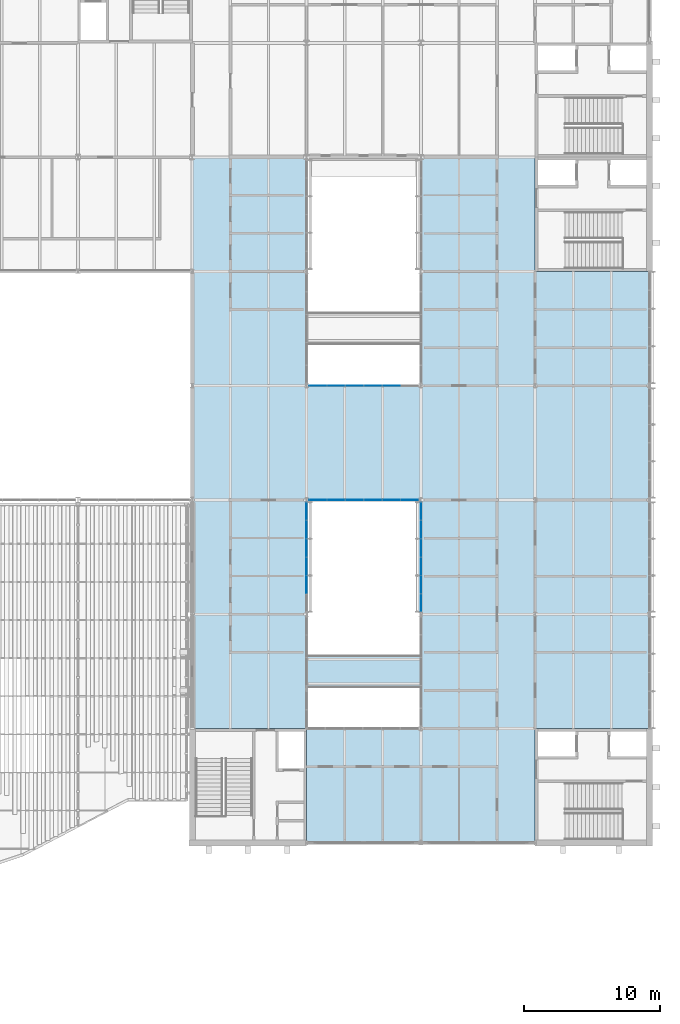
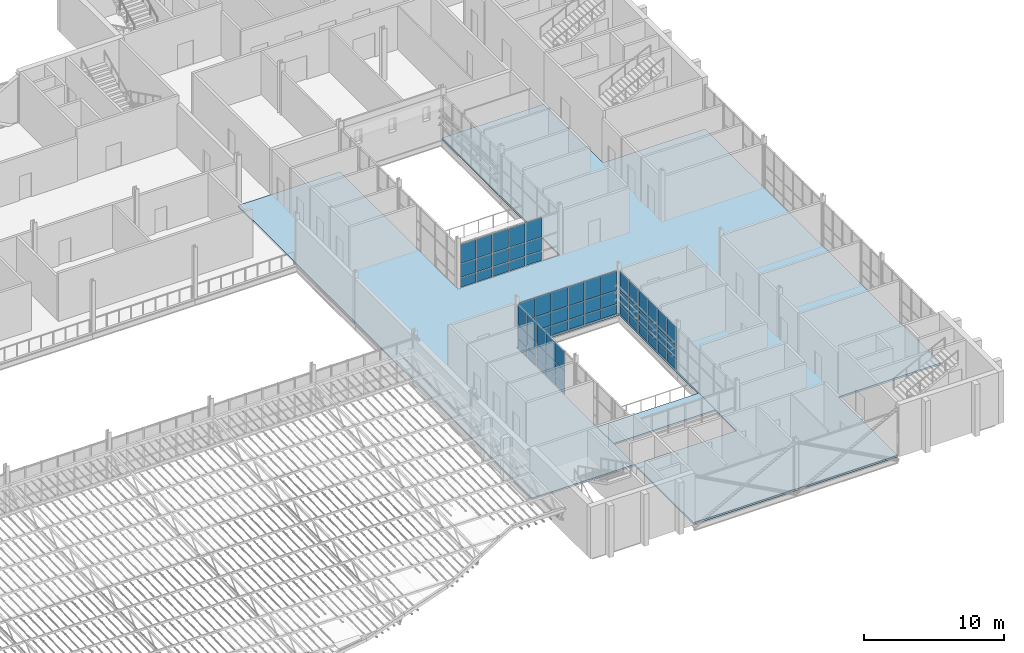
# One storey, part 75 of 129: 66 plates, 2 slabs, 4 elements without a shape of their own.
"""IFC4 building model written with IfcOpenShell, lengths in metres."""

from ifc_helpers import new_model, si_unit, direction, frame, origin, origin_2d, place, context, subcontext, project, spatial, polyline, rectangle, outline, extrude, material, layer, layer_set, type_object, element, aggregate, save


model = new_model("IFC4")

# Units and contexts
model_context = context("Model", 3, precision=1e-05, world=origin(), true_north=direction((0.0, 1.0)))
body_context = subcontext(model_context, "Body", "Model", "MODEL_VIEW")
ifc_project = project(units=[si_unit("LENGTHUNIT", "METRE"), si_unit("AREAUNIT", "SQUARE_METRE"), si_unit("VOLUMEUNIT", "CUBIC_METRE"), si_unit("PLANEANGLEUNIT", "RADIAN"), si_unit("MASSUNIT", "GRAM", prefix="KILO")], contexts=[model_context])

# Site, building, storey
site_placement = place(None, origin())
site = spatial("IfcSite", under=ifc_project, at=site_placement, CompositionType="ELEMENT")
building_placement = place(site_placement, origin())
building = spatial("IfcBuilding", under=site, at=building_placement, Name="Ardhachandra Cancer Care Centre", CompositionType="ELEMENT")
storey_placement = place(building_placement, frame((0.0, 0.0, 4.5)))
storey = spatial("IfcBuildingStorey", under=building, at=storey_placement, Name="L01", CompositionType="ELEMENT", Elevation=4.5)

# Slabs
ifc_material_1 = material(Name="Concrete M40", Category="concrete")
ifc_layer_1 = layer(ifc_material_1, 0.14990234375)
ifc_layer_set_1 = layer_set([ifc_layer_1], Name="Concrete M40")
slab_type_1 = type_object("IfcSlabType", Name="Bridge deck 150", PredefinedType="FLOOR", material=ifc_layer_set_1)
slab_1_placement = place(storey_placement, frame((0.0, 0.0, -0.14990234375)))
element("IfcSlab", 1, at=slab_1_placement, inside=storey, type_object=slab_type_1, Name="Bridge deck BR-LC1-L01", PredefinedType="FLOOR", context=body_context, shape_type="SweptSolid", body=[
    extrude(outline(polyline([(120.0, 40.800048828125), (128.39990234375, 40.800048828125), (128.39990234375, 43.199951171875), (120.0, 43.199951171875), (120.0, 40.800048828125)])), origin(), (0.0, 0.0, 1.0), 0.14990234375),
])
ifc_material_2 = material(Name="Composite slab Concrete M30 on steel deck", Category="concrete")
ifc_layer_2 = layer(ifc_material_2, 0.14990234375)
ifc_layer_set_2 = layer_set([ifc_layer_2], Name="Composite slab Concrete M30 on steel deck")
slab_type_2 = type_object("IfcSlabType", Name="Composite floor slab 150", PredefinedType="FLOOR", material=ifc_layer_set_2)
slab_2_placement = place(storey_placement, frame((0.0, 0.0, -0.14990234375)))
element("IfcSlab", 2, at=slab_2_placement, inside=storey, type_object=slab_type_2, Name="Floor slab V4", PredefinedType="FLOOR", context=body_context, shape_type="SweptSolid", body=[
    extrude(outline(polyline([(145.199951171875, 71.39990234375), (136.800048828125, 71.39990234375), (136.800048828125, 79.800048828125), (128.39990234375, 79.800048828125), (128.39990234375, 63.0), (120.0, 63.0), (120.0, 79.800048828125), (111.60009765625, 79.800048828125), (111.60009765625, 71.39990234375), (111.60009765625, 54.60009765625), (111.60009765625, 37.800048828125), (120.0, 37.800048828125), (120.0, 29.39990234375), (136.800048828125, 29.39990234375), (136.800048828125, 37.800048828125), (145.199951171875, 37.800048828125), (145.199951171875, 71.39990234375)]), holes=[polyline([(128.39794921875, 37.802001953125), (120.001953125, 37.802001953125), (120.001953125, 54.597900390625), (128.39794921875, 54.597900390625), (128.39794921875, 37.802001953125)])]), origin(), (0.0, 0.0, 1.0), 0.14990234375),
])

# Curtain wall, plates
ifc_material_3 = material(Name="Aluminium extrusion", Category="aluminium")
ifc_layer_3 = layer(ifc_material_3, 0.14990234375)
ifc_layer_set_3 = layer_set([ifc_layer_3], Name="Aluminium extrusion")
curtain_wall_type = type_object("IfcCurtainWallType", Name="Curtain wall run", PredefinedType="NOTDEFINED", material=ifc_layer_set_3)
curtain_wall_1_placement = place(storey_placement, origin())
curtain_wall_1 = element("IfcCurtainWall", 3, at=curtain_wall_1_placement, inside=storey, type_object=curtain_wall_type, Name="Curtain wall L01 e/0120000_0046200", PredefinedType="NOTDEFINED")
ifc_material_4 = material(Name="Low-iron double-glazed unit")
ifc_layer_4 = layer(ifc_material_4, 0.028076171875)
ifc_layer_set_4 = layer_set([ifc_layer_4], Name="Low-iron double-glazed unit")
plate_type_1 = type_object("IfcPlateType", Name="Curtain wall glazing 28", PredefinedType="CURTAIN_PANEL", material=ifc_layer_set_4)
plate_1_placement = place(storey_placement, frame((120.0, 48.375, 0.93017578125), z_axis=(0.0, 0.0, 1.0), x_axis=(0.0, 1.0, 0.0)))
plate_1 = element("IfcPlate", 4, at=plate_1_placement, type_object=plate_type_1, Name="CW panel 2.2", PredefinedType="CURTAIN_PANEL", context=body_context, shape_type="SweptSolid", body=[
    extrude(rectangle(XDim=1.2900390625, YDim=0.028076171875, at=origin_2d()), origin(), (0.0, 0.0, 1.0), 1.139892578125),
])
plate_2_placement = place(storey_placement, frame((120.0, 48.375, 2.1298828125), z_axis=(0.0, 0.0, 1.0), x_axis=(0.0, 1.0, 0.0)))
plate_2 = element("IfcPlate", 5, at=plate_2_placement, type_object=plate_type_1, Name="CW panel 2.3", PredefinedType="CURTAIN_PANEL", context=body_context, shape_type="SweptSolid", body=[
    extrude(rectangle(XDim=1.2900390625, YDim=0.028076171875, at=origin_2d()), origin(), (0.0, 0.0, 1.0), 1.659912109375),
])
plate_3_placement = place(storey_placement, frame((120.0, 49.72509765625, 0.93017578125), z_axis=(0.0, 0.0, 1.0), x_axis=(0.0, 1.0, 0.0)))
plate_3 = element("IfcPlate", 6, at=plate_3_placement, type_object=plate_type_1, Name="CW panel 3.2", PredefinedType="CURTAIN_PANEL", context=body_context, shape_type="SweptSolid", body=[
    extrude(rectangle(XDim=1.2900390625, YDim=0.028076171875, at=origin_2d()), origin(), (0.0, 0.0, 1.0), 1.139892578125),
])
plate_4_placement = place(storey_placement, frame((120.0, 49.72509765625, 2.1298828125), z_axis=(0.0, 0.0, 1.0), x_axis=(0.0, 1.0, 0.0)))
plate_4 = element("IfcPlate", 7, at=plate_4_placement, type_object=plate_type_1, Name="CW panel 3.3", PredefinedType="CURTAIN_PANEL", context=body_context, shape_type="SweptSolid", body=[
    extrude(rectangle(XDim=1.2900390625, YDim=0.028076171875, at=origin_2d()), origin(), (0.0, 0.0, 1.0), 1.659912109375),
])
plate_5_placement = place(storey_placement, frame((120.0, 51.074951171875, 0.93017578125), z_axis=(0.0, 0.0, 1.0), x_axis=(0.0, 1.0, 0.0)))
plate_5 = element("IfcPlate", 8, at=plate_5_placement, type_object=plate_type_1, Name="CW panel 4.2", PredefinedType="CURTAIN_PANEL", context=body_context, shape_type="SweptSolid", body=[
    extrude(rectangle(XDim=1.2900390625, YDim=0.028076171875, at=origin_2d()), origin(), (0.0, 0.0, 1.0), 1.139892578125),
])
plate_6_placement = place(storey_placement, frame((120.0, 51.074951171875, 2.1298828125), z_axis=(0.0, 0.0, 1.0), x_axis=(0.0, 1.0, 0.0)))
plate_6 = element("IfcPlate", 9, at=plate_6_placement, type_object=plate_type_1, Name="CW panel 4.3", PredefinedType="CURTAIN_PANEL", context=body_context, shape_type="SweptSolid", body=[
    extrude(rectangle(XDim=1.2900390625, YDim=0.028076171875, at=origin_2d()), origin(), (0.0, 0.0, 1.0), 1.659912109375),
])
plate_7_placement = place(storey_placement, frame((120.0, 52.425048828125, 0.93017578125), z_axis=(0.0, 0.0, 1.0), x_axis=(0.0, 1.0, 0.0)))
plate_7 = element("IfcPlate", 10, at=plate_7_placement, type_object=plate_type_1, Name="CW panel 5.2", PredefinedType="CURTAIN_PANEL", context=body_context, shape_type="SweptSolid", body=[
    extrude(rectangle(XDim=1.2900390625, YDim=0.028076171875, at=origin_2d()), origin(), (0.0, 0.0, 1.0), 1.139892578125),
])
plate_8_placement = place(storey_placement, frame((120.0, 52.425048828125, 2.1298828125), z_axis=(0.0, 0.0, 1.0), x_axis=(0.0, 1.0, 0.0)))
plate_8 = element("IfcPlate", 11, at=plate_8_placement, type_object=plate_type_1, Name="CW panel 5.3", PredefinedType="CURTAIN_PANEL", context=body_context, shape_type="SweptSolid", body=[
    extrude(rectangle(XDim=1.2900390625, YDim=0.028076171875, at=origin_2d()), origin(), (0.0, 0.0, 1.0), 1.659912109375),
])
plate_9_placement = place(storey_placement, frame((120.0, 53.760009765625, 0.93017578125), z_axis=(0.0, 0.0, 1.0), x_axis=(0.0, 1.0, 0.0)))
plate_9 = element("IfcPlate", 12, at=plate_9_placement, type_object=plate_type_1, Name="CW panel 6.2", PredefinedType="CURTAIN_PANEL", context=body_context, shape_type="SweptSolid", body=[
    extrude(rectangle(XDim=1.260009765625, YDim=0.028076171875, at=origin_2d()), origin(), (0.0, 0.0, 1.0), 1.139892578125),
])
plate_10_placement = place(storey_placement, frame((120.0, 53.760009765625, 2.1298828125), z_axis=(0.0, 0.0, 1.0), x_axis=(0.0, 1.0, 0.0)))
plate_10 = element("IfcPlate", 13, at=plate_10_placement, type_object=plate_type_1, Name="CW panel 6.3", PredefinedType="CURTAIN_PANEL", context=body_context, shape_type="SweptSolid", body=[
    extrude(rectangle(XDim=1.260009765625, YDim=0.028076171875, at=origin_2d()), origin(), (0.0, 0.0, 1.0), 1.659912109375),
])

curtain_wall_2_placement = place(storey_placement, origin())
curtain_wall_2 = element("IfcCurtainWall", 14, at=curtain_wall_2_placement, inside=storey, type_object=curtain_wall_type, Name="Curtain wall L01 n/0120000_0063000", PredefinedType="NOTDEFINED")
plate_11_placement = place(storey_placement, frame((120.840087890625, 63.0, 0.93017578125), z_axis=(0.0, 0.0, 1.0), x_axis=(1.0, 0.0, 0.0)))
plate_11 = element("IfcPlate", 15, at=plate_11_placement, type_object=plate_type_1, Name="CW panel 1.2", PredefinedType="CURTAIN_PANEL", context=body_context, shape_type="SweptSolid", body=[
    extrude(rectangle(XDim=1.260009765625, YDim=0.028076171875, at=origin_2d()), origin(), (0.0, 0.0, 1.0), 1.139892578125),
])
plate_12_placement = place(storey_placement, frame((120.840087890625, 63.0, 2.1298828125), z_axis=(0.0, 0.0, 1.0), x_axis=(1.0, 0.0, 0.0)))
plate_12 = element("IfcPlate", 16, at=plate_12_placement, type_object=plate_type_1, Name="CW panel 1.3", PredefinedType="CURTAIN_PANEL", context=body_context, shape_type="SweptSolid", body=[
    extrude(rectangle(XDim=1.260009765625, YDim=0.028076171875, at=origin_2d()), origin(), (0.0, 0.0, 1.0), 1.659912109375),
])
plate_13_placement = place(storey_placement, frame((122.175048828125, 63.0, 0.93017578125), z_axis=(0.0, 0.0, 1.0), x_axis=(1.0, 0.0, 0.0)))
plate_13 = element("IfcPlate", 17, at=plate_13_placement, type_object=plate_type_1, Name="CW panel 2.2", PredefinedType="CURTAIN_PANEL", context=body_context, shape_type="SweptSolid", body=[
    extrude(rectangle(XDim=1.2900390625, YDim=0.028076171875, at=origin_2d()), origin(), (0.0, 0.0, 1.0), 1.139892578125),
])
plate_14_placement = place(storey_placement, frame((122.175048828125, 63.0, 2.1298828125), z_axis=(0.0, 0.0, 1.0), x_axis=(1.0, 0.0, 0.0)))
plate_14 = element("IfcPlate", 18, at=plate_14_placement, type_object=plate_type_1, Name="CW panel 2.3", PredefinedType="CURTAIN_PANEL", context=body_context, shape_type="SweptSolid", body=[
    extrude(rectangle(XDim=1.2900390625, YDim=0.028076171875, at=origin_2d()), origin(), (0.0, 0.0, 1.0), 1.659912109375),
])
plate_15_placement = place(storey_placement, frame((123.52490234375, 63.0, 0.93017578125), z_axis=(0.0, 0.0, 1.0), x_axis=(1.0, 0.0, 0.0)))
plate_15 = element("IfcPlate", 19, at=plate_15_placement, type_object=plate_type_1, Name="CW panel 3.2", PredefinedType="CURTAIN_PANEL", context=body_context, shape_type="SweptSolid", body=[
    extrude(rectangle(XDim=1.2900390625, YDim=0.028076171875, at=origin_2d()), origin(), (0.0, 0.0, 1.0), 1.139892578125),
])
plate_16_placement = place(storey_placement, frame((123.52490234375, 63.0, 2.1298828125), z_axis=(0.0, 0.0, 1.0), x_axis=(1.0, 0.0, 0.0)))
plate_16 = element("IfcPlate", 20, at=plate_16_placement, type_object=plate_type_1, Name="CW panel 3.3", PredefinedType="CURTAIN_PANEL", context=body_context, shape_type="SweptSolid", body=[
    extrude(rectangle(XDim=1.2900390625, YDim=0.028076171875, at=origin_2d()), origin(), (0.0, 0.0, 1.0), 1.659912109375),
])
plate_17_placement = place(storey_placement, frame((124.875, 63.0, 0.93017578125), z_axis=(0.0, 0.0, 1.0), x_axis=(1.0, 0.0, 0.0)))
plate_17 = element("IfcPlate", 21, at=plate_17_placement, type_object=plate_type_1, Name="CW panel 4.2", PredefinedType="CURTAIN_PANEL", context=body_context, shape_type="SweptSolid", body=[
    extrude(rectangle(XDim=1.2900390625, YDim=0.028076171875, at=origin_2d()), origin(), (0.0, 0.0, 1.0), 1.139892578125),
])
plate_18_placement = place(storey_placement, frame((124.875, 63.0, 2.1298828125), z_axis=(0.0, 0.0, 1.0), x_axis=(1.0, 0.0, 0.0)))
plate_18 = element("IfcPlate", 22, at=plate_18_placement, type_object=plate_type_1, Name="CW panel 4.3", PredefinedType="CURTAIN_PANEL", context=body_context, shape_type="SweptSolid", body=[
    extrude(rectangle(XDim=1.2900390625, YDim=0.028076171875, at=origin_2d()), origin(), (0.0, 0.0, 1.0), 1.659912109375),
])
plate_19_placement = place(storey_placement, frame((126.22509765625, 63.0, 0.93017578125), z_axis=(0.0, 0.0, 1.0), x_axis=(1.0, 0.0, 0.0)))
plate_19 = element("IfcPlate", 23, at=plate_19_placement, type_object=plate_type_1, Name="CW panel 5.2", PredefinedType="CURTAIN_PANEL", context=body_context, shape_type="SweptSolid", body=[
    extrude(rectangle(XDim=1.2900390625, YDim=0.028076171875, at=origin_2d()), origin(), (0.0, 0.0, 1.0), 1.139892578125),
])
plate_20_placement = place(storey_placement, frame((126.22509765625, 63.0, 2.1298828125), z_axis=(0.0, 0.0, 1.0), x_axis=(1.0, 0.0, 0.0)))
plate_20 = element("IfcPlate", 24, at=plate_20_placement, type_object=plate_type_1, Name="CW panel 5.3", PredefinedType="CURTAIN_PANEL", context=body_context, shape_type="SweptSolid", body=[
    extrude(rectangle(XDim=1.2900390625, YDim=0.028076171875, at=origin_2d()), origin(), (0.0, 0.0, 1.0), 1.659912109375),
])

curtain_wall_3_placement = place(storey_placement, origin())
curtain_wall_3 = element("IfcCurtainWall", 25, at=curtain_wall_3_placement, inside=storey, type_object=curtain_wall_type, Name="Curtain wall L01 s/0120000_0054600", PredefinedType="NOTDEFINED")
plate_21_placement = place(storey_placement, frame((120.840087890625, 54.60009765625, 0.93017578125), z_axis=(0.0, 0.0, 1.0), x_axis=(1.0, 0.0, 0.0)))
plate_21 = element("IfcPlate", 26, at=plate_21_placement, type_object=plate_type_1, Name="CW panel 1.2", PredefinedType="CURTAIN_PANEL", context=body_context, shape_type="SweptSolid", body=[
    extrude(rectangle(XDim=1.260009765625, YDim=0.028076171875, at=origin_2d()), origin(), (0.0, 0.0, 1.0), 1.139892578125),
])
plate_22_placement = place(storey_placement, frame((120.840087890625, 54.60009765625, 2.1298828125), z_axis=(0.0, 0.0, 1.0), x_axis=(1.0, 0.0, 0.0)))
plate_22 = element("IfcPlate", 27, at=plate_22_placement, type_object=plate_type_1, Name="CW panel 1.3", PredefinedType="CURTAIN_PANEL", context=body_context, shape_type="SweptSolid", body=[
    extrude(rectangle(XDim=1.260009765625, YDim=0.028076171875, at=origin_2d()), origin(), (0.0, 0.0, 1.0), 1.659912109375),
])
plate_23_placement = place(storey_placement, frame((122.175048828125, 54.60009765625, 0.93017578125), z_axis=(0.0, 0.0, 1.0), x_axis=(1.0, 0.0, 0.0)))
plate_23 = element("IfcPlate", 28, at=plate_23_placement, type_object=plate_type_1, Name="CW panel 2.2", PredefinedType="CURTAIN_PANEL", context=body_context, shape_type="SweptSolid", body=[
    extrude(rectangle(XDim=1.2900390625, YDim=0.028076171875, at=origin_2d()), origin(), (0.0, 0.0, 1.0), 1.139892578125),
])
plate_24_placement = place(storey_placement, frame((122.175048828125, 54.60009765625, 2.1298828125), z_axis=(0.0, 0.0, 1.0), x_axis=(1.0, 0.0, 0.0)))
plate_24 = element("IfcPlate", 29, at=plate_24_placement, type_object=plate_type_1, Name="CW panel 2.3", PredefinedType="CURTAIN_PANEL", context=body_context, shape_type="SweptSolid", body=[
    extrude(rectangle(XDim=1.2900390625, YDim=0.028076171875, at=origin_2d()), origin(), (0.0, 0.0, 1.0), 1.659912109375),
])
plate_25_placement = place(storey_placement, frame((123.52490234375, 54.60009765625, 0.93017578125), z_axis=(0.0, 0.0, 1.0), x_axis=(1.0, 0.0, 0.0)))
plate_25 = element("IfcPlate", 30, at=plate_25_placement, type_object=plate_type_1, Name="CW panel 3.2", PredefinedType="CURTAIN_PANEL", context=body_context, shape_type="SweptSolid", body=[
    extrude(rectangle(XDim=1.2900390625, YDim=0.028076171875, at=origin_2d()), origin(), (0.0, 0.0, 1.0), 1.139892578125),
])
plate_26_placement = place(storey_placement, frame((123.52490234375, 54.60009765625, 2.1298828125), z_axis=(0.0, 0.0, 1.0), x_axis=(1.0, 0.0, 0.0)))
plate_26 = element("IfcPlate", 31, at=plate_26_placement, type_object=plate_type_1, Name="CW panel 3.3", PredefinedType="CURTAIN_PANEL", context=body_context, shape_type="SweptSolid", body=[
    extrude(rectangle(XDim=1.2900390625, YDim=0.028076171875, at=origin_2d()), origin(), (0.0, 0.0, 1.0), 1.659912109375),
])
plate_27_placement = place(storey_placement, frame((124.875, 54.60009765625, 0.93017578125), z_axis=(0.0, 0.0, 1.0), x_axis=(1.0, 0.0, 0.0)))
plate_27 = element("IfcPlate", 32, at=plate_27_placement, type_object=plate_type_1, Name="CW panel 4.2", PredefinedType="CURTAIN_PANEL", context=body_context, shape_type="SweptSolid", body=[
    extrude(rectangle(XDim=1.2900390625, YDim=0.028076171875, at=origin_2d()), origin(), (0.0, 0.0, 1.0), 1.139892578125),
])
plate_28_placement = place(storey_placement, frame((124.875, 54.60009765625, 2.1298828125), z_axis=(0.0, 0.0, 1.0), x_axis=(1.0, 0.0, 0.0)))
plate_28 = element("IfcPlate", 33, at=plate_28_placement, type_object=plate_type_1, Name="CW panel 4.3", PredefinedType="CURTAIN_PANEL", context=body_context, shape_type="SweptSolid", body=[
    extrude(rectangle(XDim=1.2900390625, YDim=0.028076171875, at=origin_2d()), origin(), (0.0, 0.0, 1.0), 1.659912109375),
])
plate_29_placement = place(storey_placement, frame((126.22509765625, 54.60009765625, 0.93017578125), z_axis=(0.0, 0.0, 1.0), x_axis=(1.0, 0.0, 0.0)))
plate_29 = element("IfcPlate", 34, at=plate_29_placement, type_object=plate_type_1, Name="CW panel 5.2", PredefinedType="CURTAIN_PANEL", context=body_context, shape_type="SweptSolid", body=[
    extrude(rectangle(XDim=1.2900390625, YDim=0.028076171875, at=origin_2d()), origin(), (0.0, 0.0, 1.0), 1.139892578125),
])
plate_30_placement = place(storey_placement, frame((126.22509765625, 54.60009765625, 2.1298828125), z_axis=(0.0, 0.0, 1.0), x_axis=(1.0, 0.0, 0.0)))
plate_30 = element("IfcPlate", 35, at=plate_30_placement, type_object=plate_type_1, Name="CW panel 5.3", PredefinedType="CURTAIN_PANEL", context=body_context, shape_type="SweptSolid", body=[
    extrude(rectangle(XDim=1.2900390625, YDim=0.028076171875, at=origin_2d()), origin(), (0.0, 0.0, 1.0), 1.659912109375),
])
plate_31_placement = place(storey_placement, frame((127.56005859375, 54.60009765625, 0.93017578125), z_axis=(0.0, 0.0, 1.0), x_axis=(1.0, 0.0, 0.0)))
plate_31 = element("IfcPlate", 36, at=plate_31_placement, type_object=plate_type_1, Name="CW panel 6.2", PredefinedType="CURTAIN_PANEL", context=body_context, shape_type="SweptSolid", body=[
    extrude(rectangle(XDim=1.260009765625, YDim=0.028076171875, at=origin_2d()), origin(), (0.0, 0.0, 1.0), 1.139892578125),
])
plate_32_placement = place(storey_placement, frame((127.56005859375, 54.60009765625, 2.1298828125), z_axis=(0.0, 0.0, 1.0), x_axis=(1.0, 0.0, 0.0)))
plate_32 = element("IfcPlate", 37, at=plate_32_placement, type_object=plate_type_1, Name="CW panel 6.3", PredefinedType="CURTAIN_PANEL", context=body_context, shape_type="SweptSolid", body=[
    extrude(rectangle(XDim=1.260009765625, YDim=0.028076171875, at=origin_2d()), origin(), (0.0, 0.0, 1.0), 1.659912109375),
])

curtain_wall_4_placement = place(storey_placement, origin())
curtain_wall_4 = element("IfcCurtainWall", 38, at=curtain_wall_4_placement, inside=storey, type_object=curtain_wall_type, Name="Curtain wall L01 w/0128400_0046200", PredefinedType="NOTDEFINED")
plate_33_placement = place(storey_placement, frame((128.39990234375, 47.0400390625, 0.93017578125), z_axis=(0.0, 0.0, 1.0), x_axis=(0.0, 1.0, 0.0)))
plate_33 = element("IfcPlate", 39, at=plate_33_placement, type_object=plate_type_1, Name="CW panel 1.2", PredefinedType="CURTAIN_PANEL", context=body_context, shape_type="SweptSolid", body=[
    extrude(rectangle(XDim=1.260009765625, YDim=0.028076171875, at=origin_2d()), origin(), (0.0, 0.0, 1.0), 1.139892578125),
])
plate_34_placement = place(storey_placement, frame((128.39990234375, 47.0400390625, 2.1298828125), z_axis=(0.0, 0.0, 1.0), x_axis=(0.0, 1.0, 0.0)))
plate_34 = element("IfcPlate", 40, at=plate_34_placement, type_object=plate_type_1, Name="CW panel 1.3", PredefinedType="CURTAIN_PANEL", context=body_context, shape_type="SweptSolid", body=[
    extrude(rectangle(XDim=1.260009765625, YDim=0.028076171875, at=origin_2d()), origin(), (0.0, 0.0, 1.0), 1.659912109375),
])
plate_35_placement = place(storey_placement, frame((128.39990234375, 48.375, 0.93017578125), z_axis=(0.0, 0.0, 1.0), x_axis=(0.0, 1.0, 0.0)))
plate_35 = element("IfcPlate", 41, at=plate_35_placement, type_object=plate_type_1, Name="CW panel 2.2", PredefinedType="CURTAIN_PANEL", context=body_context, shape_type="SweptSolid", body=[
    extrude(rectangle(XDim=1.2900390625, YDim=0.028076171875, at=origin_2d()), origin(), (0.0, 0.0, 1.0), 1.139892578125),
])
plate_36_placement = place(storey_placement, frame((128.39990234375, 48.375, 2.1298828125), z_axis=(0.0, 0.0, 1.0), x_axis=(0.0, 1.0, 0.0)))
plate_36 = element("IfcPlate", 42, at=plate_36_placement, type_object=plate_type_1, Name="CW panel 2.3", PredefinedType="CURTAIN_PANEL", context=body_context, shape_type="SweptSolid", body=[
    extrude(rectangle(XDim=1.2900390625, YDim=0.028076171875, at=origin_2d()), origin(), (0.0, 0.0, 1.0), 1.659912109375),
])
plate_37_placement = place(storey_placement, frame((128.39990234375, 49.72509765625, 0.93017578125), z_axis=(0.0, 0.0, 1.0), x_axis=(0.0, 1.0, 0.0)))
plate_37 = element("IfcPlate", 43, at=plate_37_placement, type_object=plate_type_1, Name="CW panel 3.2", PredefinedType="CURTAIN_PANEL", context=body_context, shape_type="SweptSolid", body=[
    extrude(rectangle(XDim=1.2900390625, YDim=0.028076171875, at=origin_2d()), origin(), (0.0, 0.0, 1.0), 1.139892578125),
])
plate_38_placement = place(storey_placement, frame((128.39990234375, 49.72509765625, 2.1298828125), z_axis=(0.0, 0.0, 1.0), x_axis=(0.0, 1.0, 0.0)))
plate_38 = element("IfcPlate", 44, at=plate_38_placement, type_object=plate_type_1, Name="CW panel 3.3", PredefinedType="CURTAIN_PANEL", context=body_context, shape_type="SweptSolid", body=[
    extrude(rectangle(XDim=1.2900390625, YDim=0.028076171875, at=origin_2d()), origin(), (0.0, 0.0, 1.0), 1.659912109375),
])
plate_39_placement = place(storey_placement, frame((128.39990234375, 51.074951171875, 0.93017578125), z_axis=(0.0, 0.0, 1.0), x_axis=(0.0, 1.0, 0.0)))
plate_39 = element("IfcPlate", 45, at=plate_39_placement, type_object=plate_type_1, Name="CW panel 4.2", PredefinedType="CURTAIN_PANEL", context=body_context, shape_type="SweptSolid", body=[
    extrude(rectangle(XDim=1.2900390625, YDim=0.028076171875, at=origin_2d()), origin(), (0.0, 0.0, 1.0), 1.139892578125),
])
plate_40_placement = place(storey_placement, frame((128.39990234375, 51.074951171875, 2.1298828125), z_axis=(0.0, 0.0, 1.0), x_axis=(0.0, 1.0, 0.0)))
plate_40 = element("IfcPlate", 46, at=plate_40_placement, type_object=plate_type_1, Name="CW panel 4.3", PredefinedType="CURTAIN_PANEL", context=body_context, shape_type="SweptSolid", body=[
    extrude(rectangle(XDim=1.2900390625, YDim=0.028076171875, at=origin_2d()), origin(), (0.0, 0.0, 1.0), 1.659912109375),
])
plate_41_placement = place(storey_placement, frame((128.39990234375, 52.425048828125, 0.93017578125), z_axis=(0.0, 0.0, 1.0), x_axis=(0.0, 1.0, 0.0)))
plate_41 = element("IfcPlate", 47, at=plate_41_placement, type_object=plate_type_1, Name="CW panel 5.2", PredefinedType="CURTAIN_PANEL", context=body_context, shape_type="SweptSolid", body=[
    extrude(rectangle(XDim=1.2900390625, YDim=0.028076171875, at=origin_2d()), origin(), (0.0, 0.0, 1.0), 1.139892578125),
])
plate_42_placement = place(storey_placement, frame((128.39990234375, 52.425048828125, 2.1298828125), z_axis=(0.0, 0.0, 1.0), x_axis=(0.0, 1.0, 0.0)))
plate_42 = element("IfcPlate", 48, at=plate_42_placement, type_object=plate_type_1, Name="CW panel 5.3", PredefinedType="CURTAIN_PANEL", context=body_context, shape_type="SweptSolid", body=[
    extrude(rectangle(XDim=1.2900390625, YDim=0.028076171875, at=origin_2d()), origin(), (0.0, 0.0, 1.0), 1.659912109375),
])
plate_43_placement = place(storey_placement, frame((128.39990234375, 53.760009765625, 0.93017578125), z_axis=(0.0, 0.0, 1.0), x_axis=(0.0, 1.0, 0.0)))
plate_43 = element("IfcPlate", 49, at=plate_43_placement, type_object=plate_type_1, Name="CW panel 6.2", PredefinedType="CURTAIN_PANEL", context=body_context, shape_type="SweptSolid", body=[
    extrude(rectangle(XDim=1.260009765625, YDim=0.028076171875, at=origin_2d()), origin(), (0.0, 0.0, 1.0), 1.139892578125),
])
plate_44_placement = place(storey_placement, frame((128.39990234375, 53.760009765625, 2.1298828125), z_axis=(0.0, 0.0, 1.0), x_axis=(0.0, 1.0, 0.0)))
plate_44 = element("IfcPlate", 50, at=plate_44_placement, type_object=plate_type_1, Name="CW panel 6.3", PredefinedType="CURTAIN_PANEL", context=body_context, shape_type="SweptSolid", body=[
    extrude(rectangle(XDim=1.260009765625, YDim=0.028076171875, at=origin_2d()), origin(), (0.0, 0.0, 1.0), 1.659912109375),
])

# Plate
ifc_material_5 = material(Name="Aluminium composite spandrel panel", Category="aluminium")
ifc_layer_5 = layer(ifc_material_5, 0.028076171875)
ifc_layer_set_5 = layer_set([ifc_layer_5], Name="Aluminium composite spandrel panel")
plate_type_2 = type_object("IfcPlateType", Name="Curtain wall spandrel panel 28", PredefinedType="CURTAIN_PANEL", material=ifc_layer_set_5)
plate_45_placement = place(storey_placement, frame((120.0, 48.375, 0.06005859375), z_axis=(0.0, 0.0, 1.0), x_axis=(0.0, 1.0, 0.0)))
plate_45 = element("IfcPlate", 51, at=plate_45_placement, type_object=plate_type_2, Name="CW panel 2.1", PredefinedType="CURTAIN_PANEL", context=body_context, shape_type="SweptSolid", body=[
    extrude(rectangle(XDim=1.2900390625, YDim=0.028076171875, at=origin_2d()), origin(), (0.0, 0.0, 1.0), 0.81005859375),
])

plate_46_placement = place(storey_placement, frame((120.0, 49.72509765625, 0.06005859375), z_axis=(0.0, 0.0, 1.0), x_axis=(0.0, 1.0, 0.0)))
plate_46 = element("IfcPlate", 52, at=plate_46_placement, type_object=plate_type_2, Name="CW panel 3.1", PredefinedType="CURTAIN_PANEL", context=body_context, shape_type="SweptSolid", body=[
    extrude(rectangle(XDim=1.2900390625, YDim=0.028076171875, at=origin_2d()), origin(), (0.0, 0.0, 1.0), 0.81005859375),
])

plate_47_placement = place(storey_placement, frame((120.0, 51.074951171875, 0.06005859375), z_axis=(0.0, 0.0, 1.0), x_axis=(0.0, 1.0, 0.0)))
plate_47 = element("IfcPlate", 53, at=plate_47_placement, type_object=plate_type_2, Name="CW panel 4.1", PredefinedType="CURTAIN_PANEL", context=body_context, shape_type="SweptSolid", body=[
    extrude(rectangle(XDim=1.2900390625, YDim=0.028076171875, at=origin_2d()), origin(), (0.0, 0.0, 1.0), 0.81005859375),
])

plate_48_placement = place(storey_placement, frame((120.0, 52.425048828125, 0.06005859375), z_axis=(0.0, 0.0, 1.0), x_axis=(0.0, 1.0, 0.0)))
plate_48 = element("IfcPlate", 54, at=plate_48_placement, type_object=plate_type_2, Name="CW panel 5.1", PredefinedType="CURTAIN_PANEL", context=body_context, shape_type="SweptSolid", body=[
    extrude(rectangle(XDim=1.2900390625, YDim=0.028076171875, at=origin_2d()), origin(), (0.0, 0.0, 1.0), 0.81005859375),
])

plate_49_placement = place(storey_placement, frame((120.0, 53.760009765625, 0.06005859375), z_axis=(0.0, 0.0, 1.0), x_axis=(0.0, 1.0, 0.0)))
plate_49 = element("IfcPlate", 55, at=plate_49_placement, type_object=plate_type_2, Name="CW panel 6.1", PredefinedType="CURTAIN_PANEL", context=body_context, shape_type="SweptSolid", body=[
    extrude(rectangle(XDim=1.260009765625, YDim=0.028076171875, at=origin_2d()), origin(), (0.0, 0.0, 1.0), 0.81005859375),
])

aggregate(curtain_wall_1, [plate_45, plate_1, plate_2, plate_46, plate_3, plate_4, plate_47, plate_5, plate_6, plate_48, plate_7, plate_8, plate_49, plate_9, plate_10])

plate_50_placement = place(storey_placement, frame((120.840087890625, 63.0, 0.06005859375), z_axis=(0.0, 0.0, 1.0), x_axis=(1.0, 0.0, 0.0)))
plate_50 = element("IfcPlate", 56, at=plate_50_placement, type_object=plate_type_2, Name="CW panel 1.1", PredefinedType="CURTAIN_PANEL", context=body_context, shape_type="SweptSolid", body=[
    extrude(rectangle(XDim=1.260009765625, YDim=0.028076171875, at=origin_2d()), origin(), (0.0, 0.0, 1.0), 0.81005859375),
])

plate_51_placement = place(storey_placement, frame((122.175048828125, 63.0, 0.06005859375), z_axis=(0.0, 0.0, 1.0), x_axis=(1.0, 0.0, 0.0)))
plate_51 = element("IfcPlate", 57, at=plate_51_placement, type_object=plate_type_2, Name="CW panel 2.1", PredefinedType="CURTAIN_PANEL", context=body_context, shape_type="SweptSolid", body=[
    extrude(rectangle(XDim=1.2900390625, YDim=0.028076171875, at=origin_2d()), origin(), (0.0, 0.0, 1.0), 0.81005859375),
])

plate_52_placement = place(storey_placement, frame((123.52490234375, 63.0, 0.06005859375), z_axis=(0.0, 0.0, 1.0), x_axis=(1.0, 0.0, 0.0)))
plate_52 = element("IfcPlate", 58, at=plate_52_placement, type_object=plate_type_2, Name="CW panel 3.1", PredefinedType="CURTAIN_PANEL", context=body_context, shape_type="SweptSolid", body=[
    extrude(rectangle(XDim=1.2900390625, YDim=0.028076171875, at=origin_2d()), origin(), (0.0, 0.0, 1.0), 0.81005859375),
])

plate_53_placement = place(storey_placement, frame((124.875, 63.0, 0.06005859375), z_axis=(0.0, 0.0, 1.0), x_axis=(1.0, 0.0, 0.0)))
plate_53 = element("IfcPlate", 59, at=plate_53_placement, type_object=plate_type_2, Name="CW panel 4.1", PredefinedType="CURTAIN_PANEL", context=body_context, shape_type="SweptSolid", body=[
    extrude(rectangle(XDim=1.2900390625, YDim=0.028076171875, at=origin_2d()), origin(), (0.0, 0.0, 1.0), 0.81005859375),
])

plate_54_placement = place(storey_placement, frame((126.22509765625, 63.0, 0.06005859375), z_axis=(0.0, 0.0, 1.0), x_axis=(1.0, 0.0, 0.0)))
plate_54 = element("IfcPlate", 60, at=plate_54_placement, type_object=plate_type_2, Name="CW panel 5.1", PredefinedType="CURTAIN_PANEL", context=body_context, shape_type="SweptSolid", body=[
    extrude(rectangle(XDim=1.2900390625, YDim=0.028076171875, at=origin_2d()), origin(), (0.0, 0.0, 1.0), 0.81005859375),
])

aggregate(curtain_wall_2, [plate_50, plate_11, plate_12, plate_51, plate_13, plate_14, plate_52, plate_15, plate_16, plate_53, plate_17, plate_18, plate_54, plate_19, plate_20])

plate_55_placement = place(storey_placement, frame((120.840087890625, 54.60009765625, 0.06005859375), z_axis=(0.0, 0.0, 1.0), x_axis=(1.0, 0.0, 0.0)))
plate_55 = element("IfcPlate", 61, at=plate_55_placement, type_object=plate_type_2, Name="CW panel 1.1", PredefinedType="CURTAIN_PANEL", context=body_context, shape_type="SweptSolid", body=[
    extrude(rectangle(XDim=1.260009765625, YDim=0.028076171875, at=origin_2d()), origin(), (0.0, 0.0, 1.0), 0.81005859375),
])

plate_56_placement = place(storey_placement, frame((122.175048828125, 54.60009765625, 0.06005859375), z_axis=(0.0, 0.0, 1.0), x_axis=(1.0, 0.0, 0.0)))
plate_56 = element("IfcPlate", 62, at=plate_56_placement, type_object=plate_type_2, Name="CW panel 2.1", PredefinedType="CURTAIN_PANEL", context=body_context, shape_type="SweptSolid", body=[
    extrude(rectangle(XDim=1.2900390625, YDim=0.028076171875, at=origin_2d()), origin(), (0.0, 0.0, 1.0), 0.81005859375),
])

plate_57_placement = place(storey_placement, frame((123.52490234375, 54.60009765625, 0.06005859375), z_axis=(0.0, 0.0, 1.0), x_axis=(1.0, 0.0, 0.0)))
plate_57 = element("IfcPlate", 63, at=plate_57_placement, type_object=plate_type_2, Name="CW panel 3.1", PredefinedType="CURTAIN_PANEL", context=body_context, shape_type="SweptSolid", body=[
    extrude(rectangle(XDim=1.2900390625, YDim=0.028076171875, at=origin_2d()), origin(), (0.0, 0.0, 1.0), 0.81005859375),
])

plate_58_placement = place(storey_placement, frame((124.875, 54.60009765625, 0.06005859375), z_axis=(0.0, 0.0, 1.0), x_axis=(1.0, 0.0, 0.0)))
plate_58 = element("IfcPlate", 64, at=plate_58_placement, type_object=plate_type_2, Name="CW panel 4.1", PredefinedType="CURTAIN_PANEL", context=body_context, shape_type="SweptSolid", body=[
    extrude(rectangle(XDim=1.2900390625, YDim=0.028076171875, at=origin_2d()), origin(), (0.0, 0.0, 1.0), 0.81005859375),
])

plate_59_placement = place(storey_placement, frame((126.22509765625, 54.60009765625, 0.06005859375), z_axis=(0.0, 0.0, 1.0), x_axis=(1.0, 0.0, 0.0)))
plate_59 = element("IfcPlate", 65, at=plate_59_placement, type_object=plate_type_2, Name="CW panel 5.1", PredefinedType="CURTAIN_PANEL", context=body_context, shape_type="SweptSolid", body=[
    extrude(rectangle(XDim=1.2900390625, YDim=0.028076171875, at=origin_2d()), origin(), (0.0, 0.0, 1.0), 0.81005859375),
])

plate_60_placement = place(storey_placement, frame((127.56005859375, 54.60009765625, 0.06005859375), z_axis=(0.0, 0.0, 1.0), x_axis=(1.0, 0.0, 0.0)))
plate_60 = element("IfcPlate", 66, at=plate_60_placement, type_object=plate_type_2, Name="CW panel 6.1", PredefinedType="CURTAIN_PANEL", context=body_context, shape_type="SweptSolid", body=[
    extrude(rectangle(XDim=1.260009765625, YDim=0.028076171875, at=origin_2d()), origin(), (0.0, 0.0, 1.0), 0.81005859375),
])

aggregate(curtain_wall_3, [plate_55, plate_21, plate_22, plate_56, plate_23, plate_24, plate_57, plate_25, plate_26, plate_58, plate_27, plate_28, plate_59, plate_29, plate_30, plate_60, plate_31, plate_32])

plate_61_placement = place(storey_placement, frame((128.39990234375, 47.0400390625, 0.06005859375), z_axis=(0.0, 0.0, 1.0), x_axis=(0.0, 1.0, 0.0)))
plate_61 = element("IfcPlate", 67, at=plate_61_placement, type_object=plate_type_2, Name="CW panel 1.1", PredefinedType="CURTAIN_PANEL", context=body_context, shape_type="SweptSolid", body=[
    extrude(rectangle(XDim=1.260009765625, YDim=0.028076171875, at=origin_2d()), origin(), (0.0, 0.0, 1.0), 0.81005859375),
])

plate_62_placement = place(storey_placement, frame((128.39990234375, 48.375, 0.06005859375), z_axis=(0.0, 0.0, 1.0), x_axis=(0.0, 1.0, 0.0)))
plate_62 = element("IfcPlate", 68, at=plate_62_placement, type_object=plate_type_2, Name="CW panel 2.1", PredefinedType="CURTAIN_PANEL", context=body_context, shape_type="SweptSolid", body=[
    extrude(rectangle(XDim=1.2900390625, YDim=0.028076171875, at=origin_2d()), origin(), (0.0, 0.0, 1.0), 0.81005859375),
])

plate_63_placement = place(storey_placement, frame((128.39990234375, 49.72509765625, 0.06005859375), z_axis=(0.0, 0.0, 1.0), x_axis=(0.0, 1.0, 0.0)))
plate_63 = element("IfcPlate", 69, at=plate_63_placement, type_object=plate_type_2, Name="CW panel 3.1", PredefinedType="CURTAIN_PANEL", context=body_context, shape_type="SweptSolid", body=[
    extrude(rectangle(XDim=1.2900390625, YDim=0.028076171875, at=origin_2d()), origin(), (0.0, 0.0, 1.0), 0.81005859375),
])

plate_64_placement = place(storey_placement, frame((128.39990234375, 51.074951171875, 0.06005859375), z_axis=(0.0, 0.0, 1.0), x_axis=(0.0, 1.0, 0.0)))
plate_64 = element("IfcPlate", 70, at=plate_64_placement, type_object=plate_type_2, Name="CW panel 4.1", PredefinedType="CURTAIN_PANEL", context=body_context, shape_type="SweptSolid", body=[
    extrude(rectangle(XDim=1.2900390625, YDim=0.028076171875, at=origin_2d()), origin(), (0.0, 0.0, 1.0), 0.81005859375),
])

plate_65_placement = place(storey_placement, frame((128.39990234375, 52.425048828125, 0.06005859375), z_axis=(0.0, 0.0, 1.0), x_axis=(0.0, 1.0, 0.0)))
plate_65 = element("IfcPlate", 71, at=plate_65_placement, type_object=plate_type_2, Name="CW panel 5.1", PredefinedType="CURTAIN_PANEL", context=body_context, shape_type="SweptSolid", body=[
    extrude(rectangle(XDim=1.2900390625, YDim=0.028076171875, at=origin_2d()), origin(), (0.0, 0.0, 1.0), 0.81005859375),
])

plate_66_placement = place(storey_placement, frame((128.39990234375, 53.760009765625, 0.06005859375), z_axis=(0.0, 0.0, 1.0), x_axis=(0.0, 1.0, 0.0)))
plate_66 = element("IfcPlate", 72, at=plate_66_placement, type_object=plate_type_2, Name="CW panel 6.1", PredefinedType="CURTAIN_PANEL", context=body_context, shape_type="SweptSolid", body=[
    extrude(rectangle(XDim=1.260009765625, YDim=0.028076171875, at=origin_2d()), origin(), (0.0, 0.0, 1.0), 0.81005859375),
])

aggregate(curtain_wall_4, [plate_61, plate_33, plate_34, plate_62, plate_35, plate_36, plate_63, plate_37, plate_38, plate_64, plate_39, plate_40, plate_65, plate_41, plate_42, plate_66, plate_43, plate_44])

save(model, "model.ifc")
